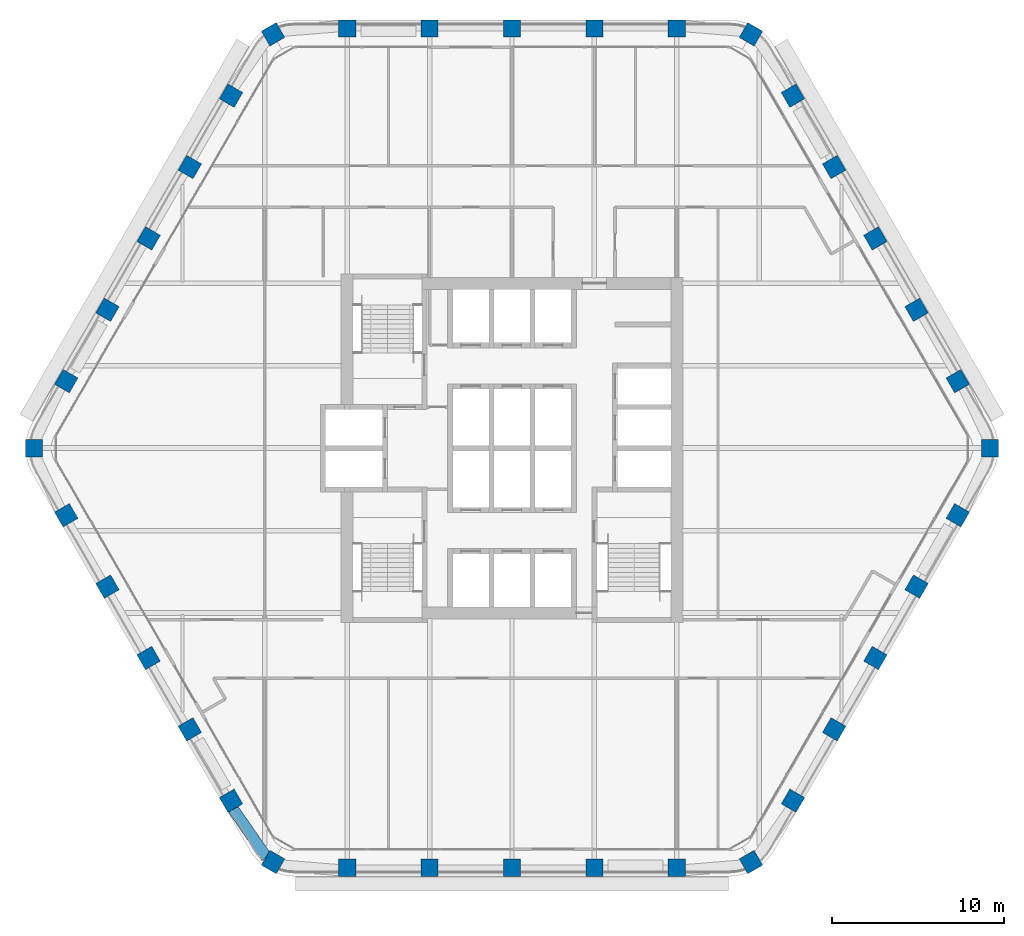
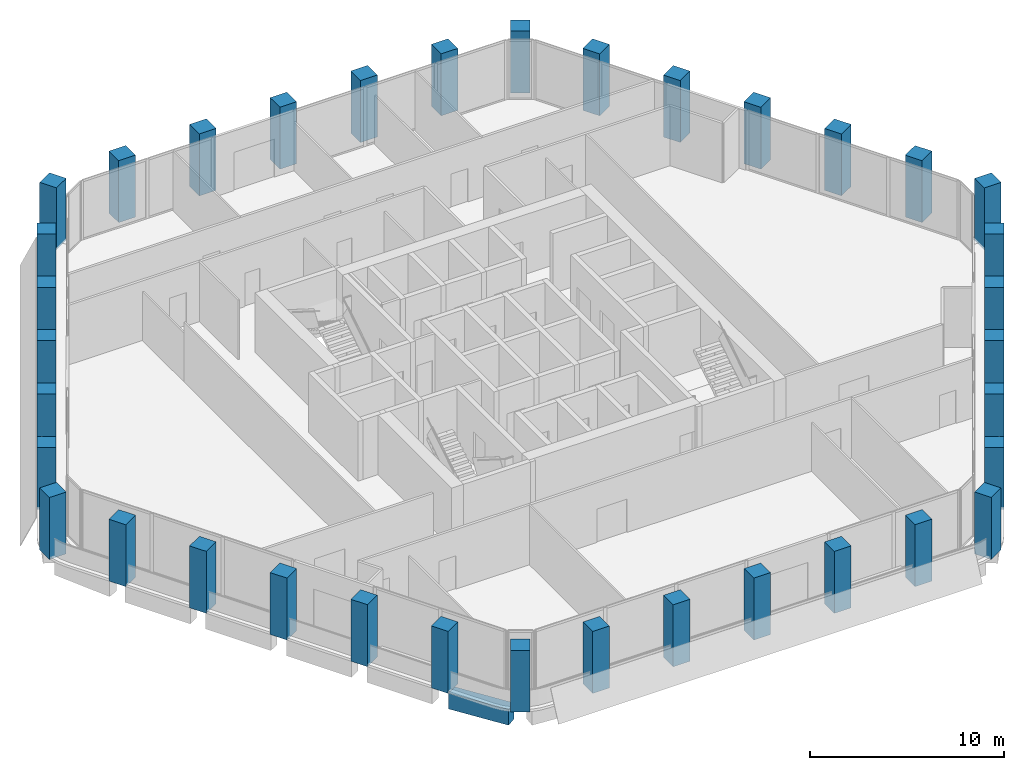
# One storey, part 1 of 15: 36 columns, 1 beam.
"""IFC4 building model written with IfcOpenShell, lengths in metres."""

from ifc_helpers import new_model, si_unit, direction, frame, origin, origin_2d, place, context, subcontext, project, spatial, rectangle, extrude, material, material_profile, profile_set, type_object, element, save


model = new_model("IFC4")

# Units and contexts
model_context = context("Model", 3, precision=1e-05, world=origin(), true_north=direction((0.0, 1.0)))
body_context = subcontext(model_context, "Body", "Model", "MODEL_VIEW")
ifc_project = project(units=[si_unit("LENGTHUNIT", "METRE"), si_unit("AREAUNIT", "SQUARE_METRE"), si_unit("VOLUMEUNIT", "CUBIC_METRE"), si_unit("PLANEANGLEUNIT", "RADIAN"), si_unit("MASSUNIT", "GRAM", prefix="KILO")], contexts=[model_context])

# Site, building, storey
site_placement = place(None, origin())
site = spatial("IfcSite", under=ifc_project, at=site_placement, CompositionType="ELEMENT")
building_placement = place(site_placement, origin())
building = spatial("IfcBuilding", under=site, at=building_placement, Name="Kolab Exchange Tower", CompositionType="ELEMENT")
storey_placement = place(building_placement, frame((0.0, 0.0, 154.39990234375)))
storey = spatial("IfcBuildingStorey", under=building, at=storey_placement, Name="L31", CompositionType="ELEMENT", Elevation=154.39990234375)

# Columns
ifc_material = material(Name="Concrete C60/75", Category="concrete")
ifc_material_profile_1 = material_profile(ifc_material, rectangle(XDim=1.0, YDim=1.0, at=origin_2d()), Name="RC1000")
ifc_profile_set_1 = profile_set([ifc_material_profile_1], Name="Concrete C60/75")
column_type = type_object("IfcColumnType", Name="PERIMETER COLUMN 1000 SQ C60/75", PredefinedType="COLUMN", material=ifc_profile_set_1)
for number, where, z_axis, x_axis, name in (
    (1, (-13.91796875, 24.106689453125, -0.14990234375), (0.0, 0.0, 1.0), (0.866025403784, 0.5, 0.0), "col/L31/F1-01"),
    (2, (-9.60009765625, 24.441650390625, -0.14990234375), (0.0, 0.0, 1.0), (1.0, 0.0, 0.0), "col/L31/F1-02"),
    (3, (-4.800048828125, 24.441650390625, -0.14990234375), (0.0, 0.0, 1.0), (1.0, 0.0, 0.0), "col/L31/F1-03"),
    (4, (0.0, 24.441650390625, -0.14990234375), (0.0, 0.0, 1.0), (1.0, 0.0, 0.0), "col/L31/F1-04"),
    (5, (4.800048828125, 24.441650390625, -0.14990234375), (0.0, 0.0, 1.0), (1.0, 0.0, 0.0), "col/L31/F1-05"),
    (6, (9.60009765625, 24.441650390625, -0.14990234375), (0.0, 0.0, 1.0), (1.0, 0.0, 0.0), "col/L31/F1-06"),
    (7, (13.91796875, 24.106689453125, -0.14990234375), (0.0, 0.0, 1.0), (0.5, 0.866025403784, 0.0), "col/L31/F2-01"),
    (8, (16.366943359375, 20.53466796875, -0.14990234375), (0.0, 0.0, 1.0), (0.866025403784, 0.5, 0.0), "col/L31/F2-02"),
    (9, (18.76708984375, 16.377685546875, -0.14990234375), (0.0, 0.0, 1.0), (0.866025403784, 0.5, 0.0), "col/L31/F2-03"),
    (10, (21.1669921875, 12.220703125, -0.14990234375), (0.0, 0.0, 1.0), (0.866025403784, 0.5, 0.0), "col/L31/F2-04"),
    (11, (23.56689453125, 8.06396484375, -0.14990234375), (0.0, 0.0, 1.0), (0.866025403784, 0.5, 0.0), "col/L31/F2-05"),
    (12, (25.967041015625, 3.906982421875, -0.14990234375), (0.0, 0.0, 1.0), (0.866025403784, 0.5, 0.0), "col/L31/F2-06"),
    (13, (27.8359375, 0.0, -0.14990234375), (0.0, 0.0, 1.0), (1.0, 0.0, 0.0), "col/L31/F3-01"),
    (14, (25.967041015625, -3.906982421875, -0.14990234375), (0.0, 0.0, 1.0), (0.5, 0.866025403784, 0.0), "col/L31/F3-02"),
    (15, (23.56689453125, -8.06396484375, -0.14990234375), (0.0, 0.0, 1.0), (0.5, 0.866025403784, 0.0), "col/L31/F3-03"),
    (16, (21.1669921875, -12.220703125, -0.14990234375), (0.0, 0.0, 1.0), (0.5, 0.866025403784, 0.0), "col/L31/F3-04"),
    (17, (18.76708984375, -16.377685546875, -0.14990234375), (0.0, 0.0, 1.0), (0.5, 0.866025403784, 0.0), "col/L31/F3-05"),
    (18, (16.366943359375, -20.53466796875, -0.14990234375), (0.0, 0.0, 1.0), (0.5, 0.866025403784, 0.0), "col/L31/F3-06"),
    (19, (13.91796875, -24.106689453125, -0.14990234375), (0.0, 0.0, 1.0), (0.866025403784, 0.5, 0.0), "col/L31/F4-01"),
    (20, (9.60009765625, -24.441650390625, -0.14990234375), (0.0, 0.0, 1.0), (1.0, 0.0, 0.0), "col/L31/F4-02"),
    (21, (4.800048828125, -24.441650390625, -0.14990234375), (0.0, 0.0, 1.0), (1.0, 0.0, 0.0), "col/L31/F4-03"),
    (22, (0.0, -24.441650390625, -0.14990234375), (0.0, 0.0, 1.0), (1.0, 0.0, 0.0), "col/L31/F4-04"),
    (23, (-4.800048828125, -24.441650390625, -0.14990234375), (0.0, 0.0, 1.0), (1.0, 0.0, 0.0), "col/L31/F4-05"),
    (24, (-9.60009765625, -24.441650390625, -0.14990234375), (0.0, 0.0, 1.0), (1.0, 0.0, 0.0), "col/L31/F4-06"),
    (25, (-13.91796875, -24.106689453125, -0.14990234375), (0.0, 0.0, 1.0), (0.5, 0.866025403784, 0.0), "col/L31/F5-01"),
    (26, (-16.366943359375, -20.53466796875, -0.14990234375), (0.0, 0.0, 1.0), (0.866025403784, 0.5, 0.0), "col/L31/F5-02"),
    (27, (-18.76708984375, -16.377685546875, -0.14990234375), (0.0, 0.0, 1.0), (0.866025403784, 0.5, 0.0), "col/L31/F5-03"),
    (28, (-21.1669921875, -12.220703125, -0.14990234375), (0.0, 0.0, 1.0), (0.866025403784, 0.5, 0.0), "col/L31/F5-04"),
    (29, (-23.56689453125, -8.06396484375, -0.14990234375), (0.0, 0.0, 1.0), (0.866025403784, 0.5, 0.0), "col/L31/F5-05"),
    (30, (-25.967041015625, -3.906982421875, -0.14990234375), (0.0, 0.0, 1.0), (0.866025403784, 0.5, 0.0), "col/L31/F5-06"),
    (31, (-27.8359375, 0.0, -0.14990234375), (0.0, 0.0, 1.0), (1.0, 0.0, 0.0), "col/L31/F6-01"),
    (32, (-25.967041015625, 3.906982421875, -0.14990234375), (0.0, 0.0, 1.0), (0.5, 0.866025403784, 0.0), "col/L31/F6-02"),
    (33, (-23.56689453125, 8.06396484375, -0.14990234375), (0.0, 0.0, 1.0), (0.5, 0.866025403784, 0.0), "col/L31/F6-03"),
    (34, (-21.1669921875, 12.220703125, -0.14990234375), (0.0, 0.0, 1.0), (0.5, 0.866025403784, 0.0), "col/L31/F6-04"),
    (35, (-18.76708984375, 16.377685546875, -0.14990234375), (0.0, 0.0, 1.0), (0.5, 0.866025403784, 0.0), "col/L31/F6-05"),
    (36, (-16.366943359375, 20.53466796875, -0.14990234375), (0.0, 0.0, 1.0), (0.5, 0.866025403784, 0.0), "col/L31/F6-06"),
):
    element("IfcColumn", number, at=place(storey_placement, frame(where, z_axis=z_axis, x_axis=x_axis)), inside=storey, type_object=column_type, Name=name, PredefinedType="COLUMN", context=body_context, shape_type="SweptSolid", body=[
        extrude(rectangle(XDim=1.0, YDim=1.0, at=origin_2d()), origin(), (0.0, 0.0, 1.0), 3.89990234375),
    ])

# Beam
ifc_material_profile_2 = material_profile(ifc_material, rectangle(XDim=0.64990234375, YDim=1.0, at=origin_2d()), Name="RC650X1000")
ifc_profile_set_2 = profile_set([ifc_material_profile_2], Name="Concrete C60/75")
beam_type = type_object("IfcBeamType", Name="SPANDREL BEAM 650X1000 C60/75", PredefinedType="BEAM", material=ifc_profile_set_2)
beam_placement = place(storey_placement, frame((-14.29736328125, -23.8359375, -0.64990234375), z_axis=(-0.568572281073, 0.822633309073, 0.0), x_axis=(-0.822633309073, -0.568572281073, 0.0)))
element("IfcBeam", 37, at=beam_placement, inside=storey, type_object=beam_type, Name="beam/L31/sp/F5-01", PredefinedType="BEAM", context=body_context, shape_type="SweptSolid", body=[
    extrude(rectangle(XDim=0.64990234375, YDim=1.0, at=origin_2d()), origin(), (0.0, 0.0, 1.0), 3.445068359375),
])

save(model, "model.ifc")
